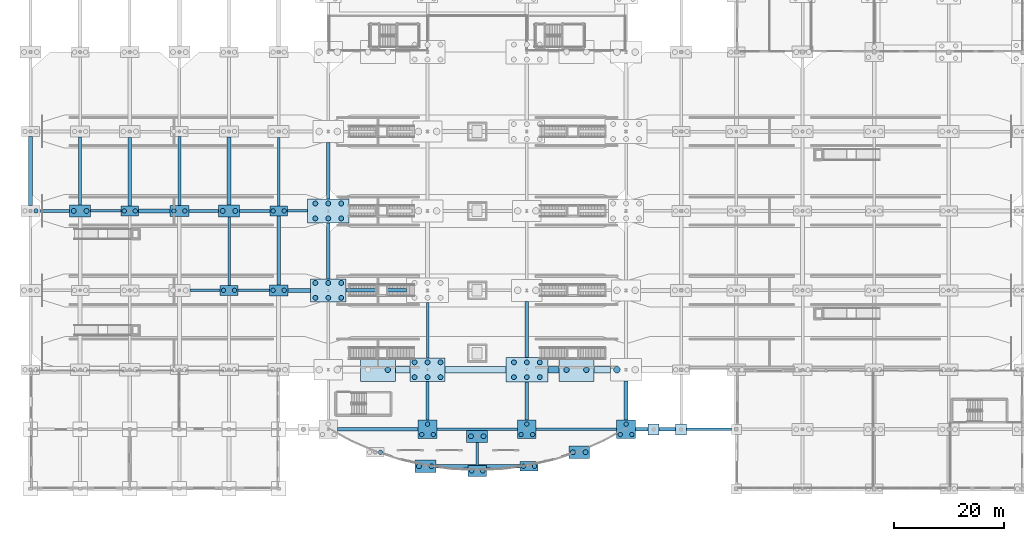
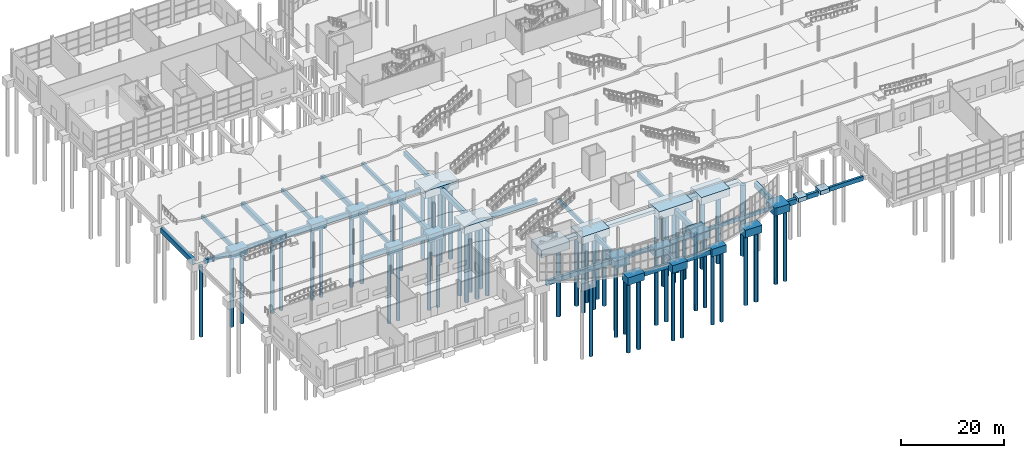
# One storey, part 2 of 115: 63 piles, 60 footings.
"""IFC4 building model written with IfcOpenShell, lengths in metres."""

from ifc_helpers import new_model, si_unit, direction, frame, origin, origin_2d, place, context, subcontext, project, spatial, rectangle, circle, extrude, material, material_profile, profile_set, type_object, element, save


model = new_model("IFC4")

# Units and contexts
model_context = context("Model", 3, precision=1e-05, world=origin(), true_north=direction((0.0, 1.0)))
body_context = subcontext(model_context, "Body", "Model", "MODEL_VIEW")
ifc_project = project(units=[si_unit("LENGTHUNIT", "METRE"), si_unit("AREAUNIT", "SQUARE_METRE"), si_unit("VOLUMEUNIT", "CUBIC_METRE"), si_unit("PLANEANGLEUNIT", "RADIAN"), si_unit("MASSUNIT", "GRAM", prefix="KILO")], contexts=[model_context])

# Site, building, storey
site_placement = place(None, origin())
site = spatial("IfcSite", under=ifc_project, at=site_placement, CompositionType="ELEMENT")
building_placement = place(site_placement, origin())
building = spatial("IfcBuilding", under=site, at=building_placement, Name="Tamarisk Ironworks Central Station", CompositionType="ELEMENT")
storey_placement = place(building_placement, origin())
storey = spatial("IfcBuildingStorey", under=building, at=storey_placement, Name="L00", CompositionType="ELEMENT", Elevation=0.0)

# Footings
ifc_material = material(Name="Concrete C40/50", Category="concrete")
footing_type_1 = type_object("IfcFootingType", Name="CAP-PC06", PredefinedType="PILE_CAP", material=ifc_material)
for number, where, z_axis, x_axis, name in (
    (1, (72.0, 10.800048828125, -1.7998046875), (0.0, 0.0, 1.0), (1.0, 0.0, 0.0), "Pile cap V2-09B"),
    (2, (90.0, 10.800048828125, -1.7998046875), (0.0, 0.0, 1.0), (1.0, 0.0, 0.0), "Pile cap V2-12B"),
    (3, (108.0, 10.800048828125, -1.7998046875), (0.0, 0.0, 1.0), (1.0, 0.0, 0.0), "Pile cap V2-14B"),
):
    element("IfcFooting", number, at=place(storey_placement, frame(where, z_axis=z_axis, x_axis=x_axis)), inside=storey, type_object=footing_type_1, Name=name, PredefinedType="PILE_CAP", context=body_context, shape_type="SweptSolid", body=[
        extrude(rectangle(XDim=3.39990234375, YDim=3.39990234375, at=origin_2d()), origin(), (0.0, 0.0, 1.0), 1.800048828125),
    ])
footing_type_2 = type_object("IfcFootingType", Name="CAP-PC07", PredefinedType="PILE_CAP", material=ifc_material)
for number, where, z_axis, x_axis, name in (
    (4, (81.0, 9.5400390625, -1.7998046875), (0.0, 0.0, 1.0), (1.0, 0.0, 0.0), "Pile cap V2-SAC"),
    (5, (71.589111328125, 4.099609375, -1.7998046875), (0.0, 0.0, 1.0), (1.0, 0.0, 0.0), "Pile cap V2-SN04"),
    (6, (99.51123046875, 6.6474609375, -1.7998046875), (0.0, 0.0, 1.0), (1.0, 0.0, 0.0), "Pile cap V2-SN10"),
    (7, (9.0, 50.39990234375, -1.7998046875), (0.0, 0.0, 1.0), (1.0, 0.0, 0.0), "Pile cap V1-02E"),
    (8, (36.0, 50.39990234375, -1.7998046875), (0.0, 0.0, 1.0), (1.0, 0.0, 0.0), "Pile cap V1-05E"),
):
    element("IfcFooting", number, at=place(storey_placement, frame(where, z_axis=z_axis, x_axis=x_axis)), inside=storey, type_object=footing_type_2, Name=name, PredefinedType="PILE_CAP", context=body_context, shape_type="SweptSolid", body=[
        extrude(rectangle(XDim=3.800048828125, YDim=2.199951171875, at=origin_2d()), origin(), (0.0, 0.0, 1.0), 1.800048828125),
    ])
footing_type_3 = type_object("IfcFootingType", Name="CAP-PC08", PredefinedType="PILE_CAP", material=ifc_material)
for number, where, z_axis, x_axis, name in (
    (9, (81.0, 3.240966796875, -1.7998046875), (0.0, 0.0, 1.0), (1.0, 0.0, 0.0), "Pile cap V2-SN06"),
    (10, (27.0, 50.39990234375, -1.7998046875), (0.0, 0.0, 1.0), (1.0, 0.0, 0.0), "Pile cap V1-04E"),
    (11, (45.0, 36.0, -1.7998046875), (0.0, 0.0, 1.0), (1.0, 0.0, 0.0), "Pile cap V1-06D"),
):
    element("IfcFooting", number, at=place(storey_placement, frame(where, z_axis=z_axis, x_axis=x_axis)), inside=storey, type_object=footing_type_3, Name=name, PredefinedType="PILE_CAP", context=body_context, shape_type="SweptSolid", body=[
        extrude(rectangle(XDim=3.39990234375, YDim=2.0, at=origin_2d()), origin(), (0.0, 0.0, 1.0), 1.800048828125),
    ])
footing_type_4 = type_object("IfcFootingType", Name="CAP-PC09", PredefinedType="PILE_CAP", material=ifc_material)
for number, where, z_axis, x_axis, name in (
    (12, (90.410888671875, 4.099609375, -1.7998046875), (0.0, 0.0, 1.0), (1.0, 0.0, 0.0), "Pile cap V2-SN08"),
    (13, (18.0, 50.39990234375, -1.7998046875), (0.0, 0.0, 1.0), (1.0, 0.0, 0.0), "Pile cap V1-03E"),
    (14, (36.0, 36.0, -1.7998046875), (0.0, 0.0, 1.0), (1.0, 0.0, 0.0), "Pile cap V1-05D"),
    (15, (45.0, 50.39990234375, -1.7998046875), (0.0, 0.0, 1.0), (1.0, 0.0, 0.0), "Pile cap V1-06E"),
):
    element("IfcFooting", number, at=place(storey_placement, frame(where, z_axis=z_axis, x_axis=x_axis)), inside=storey, type_object=footing_type_4, Name=name, PredefinedType="PILE_CAP", context=body_context, shape_type="SweptSolid", body=[
        extrude(rectangle(XDim=3.199951171875, YDim=1.800048828125, at=origin_2d()), origin(), (0.0, 0.0, 1.0), 1.800048828125),
    ])
footing_type_5 = type_object("IfcFootingType", Name="CAP-PC10", PredefinedType="PILE_CAP", material=ifc_material)
for number, where, z_axis, x_axis, name in (
    (16, (54.0, 36.0, -1.7998046875), (0.0, 0.0, 1.0), (1.0, 0.0, 0.0), "Pile cap V2-07D"),
    (17, (72.0, 21.60009765625, -1.7998046875), (0.0, 0.0, 1.0), (1.0, 0.0, 0.0), "Pile cap V2-09C"),
    (18, (63.0, 21.60009765625, -1.7998046875), (0.0, 0.0, 1.0), (1.0, 0.0, 0.0), "Bridge abutment pile cap AB1"),
    (19, (99.0, 21.60009765625, -1.7998046875), (0.0, 0.0, 1.0), (1.0, 0.0, 0.0), "Bridge abutment pile cap AB2"),
):
    element("IfcFooting", number, at=place(storey_placement, frame(where, z_axis=z_axis, x_axis=x_axis)), inside=storey, type_object=footing_type_5, Name=name, PredefinedType="PILE_CAP", context=body_context, shape_type="SweptSolid", body=[
        extrude(rectangle(XDim=6.39990234375, YDim=4.199951171875, at=origin_2d()), origin(), (0.0, 0.0, 1.0), 1.800048828125),
    ])
footing_type_6 = type_object("IfcFootingType", Name="CAP-PC11", PredefinedType="PILE_CAP", material=ifc_material)
for number, where, z_axis, x_axis, name in (
    (20, (54.0, 50.39990234375, -1.7998046875), (0.0, 0.0, 1.0), (1.0, 0.0, 0.0), "Pile cap V2-07E"),
    (21, (90.0, 21.60009765625, -1.7998046875), (0.0, 0.0, 1.0), (1.0, 0.0, 0.0), "Pile cap V2-12C"),
):
    element("IfcFooting", number, at=place(storey_placement, frame(where, z_axis=z_axis, x_axis=x_axis)), inside=storey, type_object=footing_type_6, Name=name, PredefinedType="PILE_CAP", context=body_context, shape_type="SweptSolid", body=[
        extrude(rectangle(XDim=7.60009765625, YDim=4.39990234375, at=origin_2d()), origin(), (0.0, 0.0, 1.0), 1.800048828125),
    ])
ifc_material_profile_1 = material_profile(ifc_material, rectangle(XDim=0.699951171875, YDim=1.199951171875, at=origin_2d()), Name="GB01 700x1200")
ifc_profile_set_1 = profile_set([ifc_material_profile_1], Name="Concrete C40/50")
footing_type_7 = type_object("IfcFootingType", Name="GB-01", PredefinedType="FOOTING_BEAM", material=ifc_profile_set_1)
footing_1_placement = place(storey_placement, frame((109.699951171875, 10.800048828125, -1.050048828125), z_axis=(1.0, 0.0, 0.0), x_axis=(0.0, 1.0, 0.0)))
element("IfcFooting", 22, at=footing_1_placement, inside=storey, type_object=footing_type_7, Name="Ground tie beam GB-X-021", PredefinedType="FOOTING_BEAM", context=body_context, shape_type="SweptSolid", body=[
    extrude(rectangle(XDim=0.699951171875, YDim=1.199951171875, at=origin_2d()), origin(), (0.0, 0.0, 1.0), 2.300048828125),
])
footing_2_placement = place(storey_placement, frame((46.699951171875, 36.0, -1.050048828125), z_axis=(1.0, 0.0, 0.0), x_axis=(0.0, 1.0, 0.0)))
element("IfcFooting", 23, at=footing_2_placement, inside=storey, type_object=footing_type_7, Name="Ground tie beam GB-X-033", PredefinedType="FOOTING_BEAM", context=body_context, shape_type="SweptSolid", body=[
    extrude(rectangle(XDim=0.699951171875, YDim=1.199951171875, at=origin_2d()), origin(), (0.0, 0.0, 1.0), 4.10009765625),
])
footing_3_placement = place(storey_placement, frame((19.60009765625, 50.39990234375, -1.050048828125), z_axis=(1.0, 0.0, 0.0), x_axis=(0.0, 1.0, 0.0)))
element("IfcFooting", 24, at=footing_3_placement, inside=storey, type_object=footing_type_7, Name="Ground tie beam GB-X-045", PredefinedType="FOOTING_BEAM", context=body_context, shape_type="SweptSolid", body=[
    extrude(rectangle(XDim=0.699951171875, YDim=1.199951171875, at=origin_2d()), origin(), (0.0, 0.0, 1.0), 5.699951171875),
])
footing_4_placement = place(storey_placement, frame((0.0, 51.39990234375, -1.050048828125), z_axis=(0.0, 1.0, 0.0), x_axis=(-1.0, 0.0, 0.0)))
element("IfcFooting", 25, at=footing_4_placement, inside=storey, type_object=footing_type_7, Name="Ground tie beam GB-Y-137", PredefinedType="FOOTING_BEAM", context=body_context, shape_type="SweptSolid", body=[
    extrude(rectangle(XDim=0.699951171875, YDim=1.199951171875, at=origin_2d()), origin(), (0.0, 0.0, 1.0), 12.5),
])
footing_5_placement = place(storey_placement, frame((18.0, 51.300048828125, -1.050048828125), z_axis=(0.0, 1.0, 0.0), x_axis=(-1.0, 0.0, 0.0)))
element("IfcFooting", 26, at=footing_5_placement, inside=storey, type_object=footing_type_7, Name="Ground tie beam GB-Y-157", PredefinedType="FOOTING_BEAM", context=body_context, shape_type="SweptSolid", body=[
    extrude(rectangle(XDim=0.699951171875, YDim=1.199951171875, at=origin_2d()), origin(), (0.0, 0.0, 1.0), 12.39990234375),
])
footing_6_placement = place(storey_placement, frame((36.0, 51.5, -1.050048828125), z_axis=(0.0, 1.0, 0.0), x_axis=(-1.0, 0.0, 0.0)))
element("IfcFooting", 27, at=footing_6_placement, inside=storey, type_object=footing_type_7, Name="Ground tie beam GB-Y-177", PredefinedType="FOOTING_BEAM", context=body_context, shape_type="SweptSolid", body=[
    extrude(rectangle(XDim=0.699951171875, YDim=1.199951171875, at=origin_2d()), origin(), (0.0, 0.0, 1.0), 12.300048828125),
])
footing_7_placement = place(storey_placement, frame((54.0, 38.10009765625, -1.050048828125), z_axis=(0.0, 1.0, 0.0), x_axis=(-1.0, 0.0, 0.0)))
element("IfcFooting", 28, at=footing_7_placement, inside=storey, type_object=footing_type_7, Name="Ground tie beam GB-Y-197", PredefinedType="FOOTING_BEAM", context=body_context, shape_type="SweptSolid", body=[
    extrude(rectangle(XDim=0.699951171875, YDim=1.199951171875, at=origin_2d()), origin(), (0.0, 0.0, 1.0), 10.099853515625),
])
footing_8_placement = place(storey_placement, frame((90.0, 12.5, -1.050048828125), z_axis=(0.0, 1.0, 0.0), x_axis=(-1.0, 0.0, 0.0)))
element("IfcFooting", 29, at=footing_8_placement, inside=storey, type_object=footing_type_7, Name="Ground tie beam GB-Y-213", PredefinedType="FOOTING_BEAM", context=body_context, shape_type="SweptSolid", body=[
    extrude(rectangle(XDim=0.699951171875, YDim=1.199951171875, at=origin_2d()), origin(), (0.0, 0.0, 1.0), 6.89990234375),
])
footing_9_placement = place(storey_placement, frame((108.0, 12.5, -1.050048828125), z_axis=(0.0, 1.0, 0.0), x_axis=(-1.0, 0.0, 0.0)))
element("IfcFooting", 30, at=footing_9_placement, inside=storey, type_object=footing_type_7, Name="Ground tie beam GB-Y-221", PredefinedType="FOOTING_BEAM", context=body_context, shape_type="SweptSolid", body=[
    extrude(rectangle(XDim=0.699951171875, YDim=1.199951171875, at=origin_2d()), origin(), (0.0, 0.0, 1.0), 7.10009765625),
])
ifc_material_profile_2 = material_profile(ifc_material, rectangle(XDim=0.60009765625, YDim=1.10009765625, at=origin_2d()), Name="GB02 600x1100")
ifc_profile_set_2 = profile_set([ifc_material_profile_2], Name="Concrete C40/50")
footing_type_8 = type_object("IfcFootingType", Name="GB-02", PredefinedType="FOOTING_BEAM", material=ifc_profile_set_2)
footing_10_placement = place(storey_placement, frame((73.489013671875, 4.099609375, -1.0), z_axis=(1.0, 0.0, 0.0), x_axis=(0.0, 1.0, 0.0)))
element("IfcFooting", 31, at=footing_10_placement, inside=storey, type_object=footing_type_8, Name="Ground tie beam GB-X-010", PredefinedType="FOOTING_BEAM", context=body_context, shape_type="SweptSolid", body=[
    extrude(rectangle(XDim=0.60009765625, YDim=1.10009765625, at=origin_2d()), origin(), (0.0, 0.0, 1.0), 15.322021484375),
])
footing_11_placement = place(storey_placement, frame((55.699951171875, 10.800048828125, -1.0), z_axis=(1.0, 0.0, 0.0), x_axis=(0.0, 1.0, 0.0)))
element("IfcFooting", 32, at=footing_11_placement, inside=storey, type_object=footing_type_8, Name="Ground tie beam GB-X-018", PredefinedType="FOOTING_BEAM", context=body_context, shape_type="SweptSolid", body=[
    extrude(rectangle(XDim=0.60009765625, YDim=1.10009765625, at=origin_2d()), origin(), (0.0, 0.0, 1.0), 14.60009765625),
])
footing_12_placement = place(storey_placement, frame((114.0, 10.800048828125, -1.0), z_axis=(1.0, 0.0, 0.0), x_axis=(0.0, 1.0, 0.0)))
element("IfcFooting", 33, at=footing_12_placement, inside=storey, type_object=footing_type_8, Name="Ground tie beam GB-X-022", PredefinedType="FOOTING_BEAM", context=body_context, shape_type="SweptSolid", body=[
    extrude(rectangle(XDim=0.60009765625, YDim=1.10009765625, at=origin_2d()), origin(), (0.0, 0.0, 1.0), 3.0),
])
footing_13_placement = place(storey_placement, frame((57.199951171875, 36.0, -1.0), z_axis=(1.0, 0.0, 0.0), x_axis=(0.0, 1.0, 0.0)))
element("IfcFooting", 34, at=footing_13_placement, inside=storey, type_object=footing_type_8, Name="Ground tie beam GB-X-034", PredefinedType="FOOTING_BEAM", context=body_context, shape_type="SweptSolid", body=[
    extrude(rectangle(XDim=0.60009765625, YDim=1.10009765625, at=origin_2d()), origin(), (0.0, 0.0, 1.0), 11.0),
])
footing_14_placement = place(storey_placement, frame((28.699951171875, 50.39990234375, -1.0), z_axis=(1.0, 0.0, 0.0), x_axis=(0.0, 1.0, 0.0)))
element("IfcFooting", 35, at=footing_14_placement, inside=storey, type_object=footing_type_8, Name="Ground tie beam GB-X-046", PredefinedType="FOOTING_BEAM", context=body_context, shape_type="SweptSolid", body=[
    extrude(rectangle(XDim=0.60009765625, YDim=1.10009765625, at=origin_2d()), origin(), (0.0, 0.0, 1.0), 5.400146484375),
])
footing_15_placement = place(storey_placement, frame((45.0, 37.0, -1.0), z_axis=(0.0, 1.0, 0.0), x_axis=(-1.0, 0.0, 0.0)))
element("IfcFooting", 36, at=footing_15_placement, inside=storey, type_object=footing_type_8, Name="Ground tie beam GB-Y-186", PredefinedType="FOOTING_BEAM", context=body_context, shape_type="SweptSolid", body=[
    extrude(rectangle(XDim=0.60009765625, YDim=1.10009765625, at=origin_2d()), origin(), (0.0, 0.0, 1.0), 12.5),
])
for number, where, z_axis, x_axis, name in (
    (37, (54.0, 52.60009765625, -1.0), (0.0, 1.0, 0.0), (-1.0, 0.0, 0.0), "Ground tie beam GB-Y-198"),
    (38, (90.0, 23.800048828125, -1.0), (0.0, 1.0, 0.0), (-1.0, 0.0, 0.0), "Ground tie beam GB-Y-214"),
):
    element("IfcFooting", number, at=place(storey_placement, frame(where, z_axis=z_axis, x_axis=x_axis)), inside=storey, type_object=footing_type_8, Name=name, PredefinedType="FOOTING_BEAM", context=body_context, shape_type="SweptSolid", body=[
        extrude(rectangle(XDim=0.60009765625, YDim=1.10009765625, at=origin_2d()), origin(), (0.0, 0.0, 1.0), 10.199951171875),
    ])
ifc_material_profile_3 = material_profile(ifc_material, rectangle(XDim=0.5, YDim=1.0, at=origin_2d()), Name="GB03 500x1000")
ifc_profile_set_3 = profile_set([ifc_material_profile_3], Name="Concrete C40/50")
footing_type_9 = type_object("IfcFootingType", Name="GB-03", PredefinedType="FOOTING_BEAM", material=ifc_profile_set_3)
footing_16_placement = place(storey_placement, frame((73.699951171875, 10.800048828125, -0.949951171875), z_axis=(1.0, 0.0, 0.0), x_axis=(0.0, 1.0, 0.0)))
element("IfcFooting", 39, at=footing_16_placement, inside=storey, type_object=footing_type_9, Name="Ground tie beam GB-X-019", PredefinedType="FOOTING_BEAM", context=body_context, shape_type="SweptSolid", body=[
    extrude(rectangle(XDim=0.5, YDim=1.0, at=origin_2d()), origin(), (0.0, 0.0, 1.0), 14.60009765625),
])
footing_17_placement = place(storey_placement, frame((119.0, 10.800048828125, -0.949951171875), z_axis=(1.0, 0.0, 0.0), x_axis=(0.0, 1.0, 0.0)))
element("IfcFooting", 40, at=footing_17_placement, inside=storey, type_object=footing_type_9, Name="Ground tie beam GB-X-023", PredefinedType="FOOTING_BEAM", context=body_context, shape_type="SweptSolid", body=[
    extrude(rectangle(XDim=0.5, YDim=1.0, at=origin_2d()), origin(), (0.0, 0.0, 1.0), 8.10009765625),
])
footing_18_placement = place(storey_placement, frame((28.89990234375, 36.0, -0.949951171875), z_axis=(1.0, 0.0, 0.0), x_axis=(0.0, 1.0, 0.0)))
element("IfcFooting", 41, at=footing_18_placement, inside=storey, type_object=footing_type_9, Name="Ground tie beam GB-X-031", PredefinedType="FOOTING_BEAM", context=body_context, shape_type="SweptSolid", body=[
    extrude(rectangle(XDim=0.5, YDim=1.0, at=origin_2d()), origin(), (0.0, 0.0, 1.0), 5.5),
])
footing_19_placement = place(storey_placement, frame((1.699951171875, 50.39990234375, -0.949951171875), z_axis=(1.0, 0.0, 0.0), x_axis=(0.0, 1.0, 0.0)))
element("IfcFooting", 42, at=footing_19_placement, inside=storey, type_object=footing_type_9, Name="Ground tie beam GB-X-043", PredefinedType="FOOTING_BEAM", context=body_context, shape_type="SweptSolid", body=[
    extrude(rectangle(XDim=0.5, YDim=1.0, at=origin_2d()), origin(), (0.0, 0.0, 1.0), 5.400146484375),
])
footing_20_placement = place(storey_placement, frame((37.89990234375, 50.39990234375, -0.949951171875), z_axis=(1.0, 0.0, 0.0), x_axis=(0.0, 1.0, 0.0)))
element("IfcFooting", 43, at=footing_20_placement, inside=storey, type_object=footing_type_9, Name="Ground tie beam GB-X-047", PredefinedType="FOOTING_BEAM", context=body_context, shape_type="SweptSolid", body=[
    extrude(rectangle(XDim=0.5, YDim=1.0, at=origin_2d()), origin(), (0.0, 0.0, 1.0), 5.5),
])
footing_21_placement = place(storey_placement, frame((9.0, 51.5, -0.949951171875), z_axis=(0.0, 1.0, 0.0), x_axis=(-1.0, 0.0, 0.0)))
element("IfcFooting", 44, at=footing_21_placement, inside=storey, type_object=footing_type_9, Name="Ground tie beam GB-Y-147", PredefinedType="FOOTING_BEAM", context=body_context, shape_type="SweptSolid", body=[
    extrude(rectangle(XDim=0.5, YDim=1.0, at=origin_2d()), origin(), (0.0, 0.0, 1.0), 12.300048828125),
])
footing_22_placement = place(storey_placement, frame((27.0, 51.39990234375, -0.949951171875), z_axis=(0.0, 1.0, 0.0), x_axis=(-1.0, 0.0, 0.0)))
element("IfcFooting", 45, at=footing_22_placement, inside=storey, type_object=footing_type_9, Name="Ground tie beam GB-Y-167", PredefinedType="FOOTING_BEAM", context=body_context, shape_type="SweptSolid", body=[
    extrude(rectangle(XDim=0.5, YDim=1.0, at=origin_2d()), origin(), (0.0, 0.0, 1.0), 12.5),
])
footing_23_placement = place(storey_placement, frame((45.0, 51.300048828125, -0.949951171875), z_axis=(0.0, 1.0, 0.0), x_axis=(-1.0, 0.0, 0.0)))
element("IfcFooting", 46, at=footing_23_placement, inside=storey, type_object=footing_type_9, Name="Ground tie beam GB-Y-187", PredefinedType="FOOTING_BEAM", context=body_context, shape_type="SweptSolid", body=[
    extrude(rectangle(XDim=0.5, YDim=1.0, at=origin_2d()), origin(), (0.0, 0.0, 1.0), 12.39990234375),
])
footing_24_placement = place(storey_placement, frame((72.0, 12.5, -0.949951171875), z_axis=(0.0, 1.0, 0.0), x_axis=(-1.0, 0.0, 0.0)))
element("IfcFooting", 47, at=footing_24_placement, inside=storey, type_object=footing_type_9, Name="Ground tie beam GB-Y-203", PredefinedType="FOOTING_BEAM", context=body_context, shape_type="SweptSolid", body=[
    extrude(rectangle(XDim=0.5, YDim=1.0, at=origin_2d()), origin(), (0.0, 0.0, 1.0), 7.0),
])
footing_25_placement = place(storey_placement, frame((81.0, 4.240966796875, -0.949951171875), z_axis=(0.0, 1.0, 0.0), x_axis=(-1.0, 0.0, 0.0)))
element("IfcFooting", 48, at=footing_25_placement, inside=storey, type_object=footing_type_9, Name="Ground tie beam GB-Y-211", PredefinedType="FOOTING_BEAM", context=body_context, shape_type="SweptSolid", body=[
    extrude(rectangle(XDim=0.5, YDim=1.0, at=origin_2d()), origin(), (0.0, 0.0, 1.0), 4.198974609375),
])
ifc_material_profile_4 = material_profile(ifc_material, rectangle(XDim=0.449951171875, YDim=0.89990234375, at=origin_2d()), Name="GB04 450x900")
ifc_profile_set_4 = profile_set([ifc_material_profile_4], Name="Concrete C40/50")
footing_type_10 = type_object("IfcFootingType", Name="GB-04", PredefinedType="FOOTING_BEAM", material=ifc_profile_set_4)
footing_26_placement = place(storey_placement, frame((91.699951171875, 10.800048828125, -0.89990234375), z_axis=(1.0, 0.0, 0.0), x_axis=(0.0, 1.0, 0.0)))
element("IfcFooting", 49, at=footing_26_placement, inside=storey, type_object=footing_type_10, Name="Ground tie beam GB-X-020", PredefinedType="FOOTING_BEAM", context=body_context, shape_type="SweptSolid", body=[
    extrude(rectangle(XDim=0.449951171875, YDim=0.89990234375, at=origin_2d()), origin(), (0.0, 0.0, 1.0), 14.60009765625),
])
footing_27_placement = place(storey_placement, frame((37.60009765625, 36.0, -0.89990234375), z_axis=(1.0, 0.0, 0.0), x_axis=(0.0, 1.0, 0.0)))
element("IfcFooting", 50, at=footing_27_placement, inside=storey, type_object=footing_type_10, Name="Ground tie beam GB-X-032", PredefinedType="FOOTING_BEAM", context=body_context, shape_type="SweptSolid", body=[
    extrude(rectangle(XDim=0.449951171875, YDim=0.89990234375, at=origin_2d()), origin(), (0.0, 0.0, 1.0), 5.699951171875),
])
footing_28_placement = place(storey_placement, frame((10.89990234375, 50.39990234375, -0.89990234375), z_axis=(1.0, 0.0, 0.0), x_axis=(0.0, 1.0, 0.0)))
element("IfcFooting", 51, at=footing_28_placement, inside=storey, type_object=footing_type_10, Name="Ground tie beam GB-X-044", PredefinedType="FOOTING_BEAM", context=body_context, shape_type="SweptSolid", body=[
    extrude(rectangle(XDim=0.449951171875, YDim=0.89990234375, at=origin_2d()), origin(), (0.0, 0.0, 1.0), 5.5),
])
footing_29_placement = place(storey_placement, frame((46.60009765625, 50.39990234375, -0.89990234375), z_axis=(1.0, 0.0, 0.0), x_axis=(0.0, 1.0, 0.0)))
element("IfcFooting", 52, at=footing_29_placement, inside=storey, type_object=footing_type_10, Name="Ground tie beam GB-X-048", PredefinedType="FOOTING_BEAM", context=body_context, shape_type="SweptSolid", body=[
    extrude(rectangle(XDim=0.449951171875, YDim=0.89990234375, at=origin_2d()), origin(), (0.0, 0.0, 1.0), 3.599853515625),
])
footing_30_placement = place(storey_placement, frame((36.0, 36.89990234375, -0.89990234375), z_axis=(0.0, 1.0, 0.0), x_axis=(-1.0, 0.0, 0.0)))
element("IfcFooting", 53, at=footing_30_placement, inside=storey, type_object=footing_type_10, Name="Ground tie beam GB-Y-176", PredefinedType="FOOTING_BEAM", context=body_context, shape_type="SweptSolid", body=[
    extrude(rectangle(XDim=0.449951171875, YDim=0.89990234375, at=origin_2d()), origin(), (0.0, 0.0, 1.0), 12.400146484375),
])
footing_31_placement = place(storey_placement, frame((72.0, 23.699951171875, -0.89990234375), z_axis=(0.0, 1.0, 0.0), x_axis=(-1.0, 0.0, 0.0)))
element("IfcFooting", 54, at=footing_31_placement, inside=storey, type_object=footing_type_10, Name="Ground tie beam GB-Y-204", PredefinedType="FOOTING_BEAM", context=body_context, shape_type="SweptSolid", body=[
    extrude(rectangle(XDim=0.449951171875, YDim=0.89990234375, at=origin_2d()), origin(), (0.0, 0.0, 1.0), 10.10009765625),
])
footing_type_11 = type_object("IfcFootingType", Name="PAD-PF03", PredefinedType="PAD_FOOTING", material=ifc_material)
for number, where, z_axis, x_axis, name in (
    (55, (113.0, 10.800048828125, -1.0), (0.0, 0.0, 1.0), (1.0, 0.0, 0.0), "Pad footing CN-S2"),
    (56, (118.0, 10.800048828125, -1.0), (0.0, 0.0, 1.0), (1.0, 0.0, 0.0), "Pad footing CN-S3"),
):
    element("IfcFooting", number, at=place(storey_placement, frame(where, z_axis=z_axis, x_axis=x_axis)), inside=storey, type_object=footing_type_11, Name=name, PredefinedType="PAD_FOOTING", context=body_context, shape_type="SweptSolid", body=[
        extrude(rectangle(XDim=2.0, YDim=2.0, at=origin_2d()), origin(), (0.0, 0.0, 1.0), 1.0),
    ])

# Piles
ifc_material_profile_5 = material_profile(ifc_material, circle(Radius=0.5, at=origin_2d()), Name="BORED PILE D1000")
ifc_profile_set_5 = profile_set([ifc_material_profile_5], Name="Concrete C40/50")
pile_type_1 = type_object("IfcPileType", Name="PILE-D1000", PredefinedType="BORED", material=ifc_profile_set_5)
for number, where, z_axis, x_axis, name in (
    (57, (64.800048828125, 21.60009765625, -1.64990234375), (0.0, 0.0, -1.0), (1.0, 0.0, 0.0), "Bored pile AB1-2"),
    (58, (97.199951171875, 21.60009765625, -1.64990234375), (0.0, 0.0, -1.0), (1.0, 0.0, 0.0), "Bored pile AB2-1"),
    (59, (100.800048828125, 21.60009765625, -1.64990234375), (0.0, 0.0, -1.0), (1.0, 0.0, 0.0), "Bored pile AB2-2"),
):
    element("IfcPile", number, at=place(storey_placement, frame(where, z_axis=z_axis, x_axis=x_axis)), inside=storey, type_object=pile_type_1, Name=name, PredefinedType="BORED", context=body_context, shape_type="SweptSolid", body=[
        extrude(circle(Radius=0.5, at=origin_2d()), origin(), (0.0, 0.0, 1.0), 16.85009765625),
    ])
ifc_material_profile_6 = material_profile(ifc_material, circle(Radius=0.60009765625, at=origin_2d()), Name="BORED PILE D1200")
ifc_profile_set_6 = profile_set([ifc_material_profile_6], Name="Concrete C40/50")
pile_type_2 = type_object("IfcPileType", Name="PILE-D1200", PredefinedType="BORED", material=ifc_profile_set_6)
pile_placement = place(storey_placement, frame((106.35009765625, 21.60009765625, -1.64990234375), z_axis=(0.0, 0.0, -1.0), x_axis=(1.0, 0.0, 0.0)))
element("IfcPile", 60, at=pile_placement, inside=storey, type_object=pile_type_2, Name="Bored pile V2-14C-1", PredefinedType="BORED", context=body_context, shape_type="SweptSolid", body=[
    extrude(circle(Radius=0.60009765625, at=origin_2d()), origin(), (0.0, 0.0, 1.0), 16.85009765625),
])
ifc_material_profile_7 = material_profile(ifc_material, circle(Radius=0.39990234375, at=origin_2d()), Name="BORED PILE D800")
ifc_profile_set_7 = profile_set([ifc_material_profile_7], Name="Concrete C40/50")
pile_type_3 = type_object("IfcPileType", Name="PILE-D800", PredefinedType="BORED", material=ifc_profile_set_7)
for number, where, z_axis, x_axis, name in (
    (61, (70.949951171875, 9.85009765625, -1.64990234375), (0.0, 0.0, -1.0), (1.0, 0.0, 0.0), "Bored pile V2-09B-1"),
    (62, (73.050048828125, 9.85009765625, -1.64990234375), (0.0, 0.0, -1.0), (1.0, 0.0, 0.0), "Bored pile V2-09B-2"),
    (63, (72.0, 11.75, -1.64990234375), (0.0, 0.0, -1.0), (1.0, 0.0, 0.0), "Bored pile V2-09B-3"),
    (64, (88.949951171875, 9.85009765625, -1.64990234375), (0.0, 0.0, -1.0), (1.0, 0.0, 0.0), "Bored pile V2-12B-1"),
    (65, (91.050048828125, 9.85009765625, -1.64990234375), (0.0, 0.0, -1.0), (1.0, 0.0, 0.0), "Bored pile V2-12B-2"),
    (66, (90.0, 11.75, -1.64990234375), (0.0, 0.0, -1.0), (1.0, 0.0, 0.0), "Bored pile V2-12B-3"),
    (67, (106.949951171875, 9.85009765625, -1.64990234375), (0.0, 0.0, -1.0), (1.0, 0.0, 0.0), "Bored pile V2-14B-1"),
    (68, (109.050048828125, 9.85009765625, -1.64990234375), (0.0, 0.0, -1.0), (1.0, 0.0, 0.0), "Bored pile V2-14B-2"),
    (69, (108.0, 11.75, -1.64990234375), (0.0, 0.0, -1.0), (1.0, 0.0, 0.0), "Bored pile V2-14B-3"),
    (70, (63.48876953125, 6.6474609375, -1.64990234375), (0.0, 0.0, -1.0), (1.0, 0.0, 0.0), "Bored pile V2-SN02-2"),
    (71, (80.0, 3.240966796875, -1.64990234375), (0.0, 0.0, -1.0), (1.0, 0.0, 0.0), "Bored pile V2-SN06-1"),
    (72, (82.0, 3.240966796875, -1.64990234375), (0.0, 0.0, -1.0), (1.0, 0.0, 0.0), "Bored pile V2-SN06-2"),
    (73, (89.410888671875, 4.099609375, -1.64990234375), (0.0, 0.0, -1.0), (1.0, 0.0, 0.0), "Bored pile V2-SN08-1"),
    (74, (91.410888671875, 4.099609375, -1.64990234375), (0.0, 0.0, -1.0), (1.0, 0.0, 0.0), "Bored pile V2-SN08-2"),
    (75, (1.0, 50.39990234375, -1.64990234375), (0.0, 0.0, -1.0), (1.0, 0.0, 0.0), "Bored pile V1-01E-2"),
    (76, (17.0, 50.39990234375, -1.64990234375), (0.0, 0.0, -1.0), (1.0, 0.0, 0.0), "Bored pile V1-03E-1"),
    (77, (19.0, 50.39990234375, -1.64990234375), (0.0, 0.0, -1.0), (1.0, 0.0, 0.0), "Bored pile V1-03E-2"),
    (78, (26.0, 50.39990234375, -1.64990234375), (0.0, 0.0, -1.0), (1.0, 0.0, 0.0), "Bored pile V1-04E-1"),
    (79, (28.0, 50.39990234375, -1.64990234375), (0.0, 0.0, -1.0), (1.0, 0.0, 0.0), "Bored pile V1-04E-2"),
    (80, (35.0, 36.0, -1.64990234375), (0.0, 0.0, -1.0), (1.0, 0.0, 0.0), "Bored pile V1-05D-1"),
    (81, (37.0, 36.0, -1.64990234375), (0.0, 0.0, -1.0), (1.0, 0.0, 0.0), "Bored pile V1-05D-2"),
    (82, (44.0, 36.0, -1.64990234375), (0.0, 0.0, -1.0), (1.0, 0.0, 0.0), "Bored pile V1-06D-1"),
    (83, (46.0, 36.0, -1.64990234375), (0.0, 0.0, -1.0), (1.0, 0.0, 0.0), "Bored pile V1-06D-2"),
    (84, (44.0, 50.39990234375, -1.64990234375), (0.0, 0.0, -1.0), (1.0, 0.0, 0.0), "Bored pile V1-06E-1"),
    (85, (46.0, 50.39990234375, -1.64990234375), (0.0, 0.0, -1.0), (1.0, 0.0, 0.0), "Bored pile V1-06E-2"),
):
    element("IfcPile", number, at=place(storey_placement, frame(where, z_axis=z_axis, x_axis=x_axis)), inside=storey, type_object=pile_type_3, Name=name, PredefinedType="BORED", context=body_context, shape_type="SweptSolid", body=[
        extrude(circle(Radius=0.39990234375, at=origin_2d()), origin(), (0.0, 0.0, 1.0), 16.85009765625),
    ])
ifc_material_profile_8 = material_profile(ifc_material, circle(Radius=0.449951171875, at=origin_2d()), Name="BORED PILE D900")
ifc_profile_set_8 = profile_set([ifc_material_profile_8], Name="Concrete C40/50")
pile_type_4 = type_object("IfcPileType", Name="PILE-D900", PredefinedType="BORED", material=ifc_profile_set_8)
for number, where, z_axis, x_axis, name in (
    (86, (51.64990234375, 34.64990234375, -1.64990234375), (0.0, 0.0, -1.0), (1.0, 0.0, 0.0), "Bored pile V2-07D-1"),
    (87, (54.0, 34.64990234375, -1.64990234375), (0.0, 0.0, -1.0), (1.0, 0.0, 0.0), "Bored pile V2-07D-2"),
    (88, (56.35009765625, 34.64990234375, -1.64990234375), (0.0, 0.0, -1.0), (1.0, 0.0, 0.0), "Bored pile V2-07D-3"),
    (89, (51.64990234375, 37.35009765625, -1.64990234375), (0.0, 0.0, -1.0), (1.0, 0.0, 0.0), "Bored pile V2-07D-4"),
    (90, (54.0, 37.35009765625, -1.64990234375), (0.0, 0.0, -1.0), (1.0, 0.0, 0.0), "Bored pile V2-07D-5"),
    (91, (56.35009765625, 37.35009765625, -1.64990234375), (0.0, 0.0, -1.0), (1.0, 0.0, 0.0), "Bored pile V2-07D-6"),
    (92, (51.64990234375, 49.050048828125, -1.64990234375), (0.0, 0.0, -1.0), (1.0, 0.0, 0.0), "Bored pile V2-07E-1"),
    (93, (54.0, 49.050048828125, -1.64990234375), (0.0, 0.0, -1.0), (1.0, 0.0, 0.0), "Bored pile V2-07E-2"),
    (94, (56.35009765625, 49.050048828125, -1.64990234375), (0.0, 0.0, -1.0), (1.0, 0.0, 0.0), "Bored pile V2-07E-3"),
    (95, (51.64990234375, 51.75, -1.64990234375), (0.0, 0.0, -1.0), (1.0, 0.0, 0.0), "Bored pile V2-07E-4"),
    (96, (54.0, 51.75, -1.64990234375), (0.0, 0.0, -1.0), (1.0, 0.0, 0.0), "Bored pile V2-07E-5"),
    (97, (56.35009765625, 51.75, -1.64990234375), (0.0, 0.0, -1.0), (1.0, 0.0, 0.0), "Bored pile V2-07E-6"),
    (98, (69.64990234375, 20.25, -1.64990234375), (0.0, 0.0, -1.0), (1.0, 0.0, 0.0), "Bored pile V2-09C-1"),
    (99, (72.0, 20.25, -1.64990234375), (0.0, 0.0, -1.0), (1.0, 0.0, 0.0), "Bored pile V2-09C-2"),
    (100, (74.35009765625, 20.25, -1.64990234375), (0.0, 0.0, -1.0), (1.0, 0.0, 0.0), "Bored pile V2-09C-3"),
    (101, (69.64990234375, 22.949951171875, -1.64990234375), (0.0, 0.0, -1.0), (1.0, 0.0, 0.0), "Bored pile V2-09C-4"),
    (102, (72.0, 22.949951171875, -1.64990234375), (0.0, 0.0, -1.0), (1.0, 0.0, 0.0), "Bored pile V2-09C-5"),
    (103, (74.35009765625, 22.949951171875, -1.64990234375), (0.0, 0.0, -1.0), (1.0, 0.0, 0.0), "Bored pile V2-09C-6"),
    (104, (87.64990234375, 20.25, -1.64990234375), (0.0, 0.0, -1.0), (1.0, 0.0, 0.0), "Bored pile V2-12C-1"),
    (105, (90.0, 20.25, -1.64990234375), (0.0, 0.0, -1.0), (1.0, 0.0, 0.0), "Bored pile V2-12C-2"),
    (106, (92.35009765625, 20.25, -1.64990234375), (0.0, 0.0, -1.0), (1.0, 0.0, 0.0), "Bored pile V2-12C-3"),
    (107, (87.64990234375, 22.949951171875, -1.64990234375), (0.0, 0.0, -1.0), (1.0, 0.0, 0.0), "Bored pile V2-12C-4"),
    (108, (90.0, 22.949951171875, -1.64990234375), (0.0, 0.0, -1.0), (1.0, 0.0, 0.0), "Bored pile V2-12C-5"),
    (109, (92.35009765625, 22.949951171875, -1.64990234375), (0.0, 0.0, -1.0), (1.0, 0.0, 0.0), "Bored pile V2-12C-6"),
    (110, (79.85009765625, 9.5400390625, -1.64990234375), (0.0, 0.0, -1.0), (1.0, 0.0, 0.0), "Bored pile V2-SAC-1"),
    (111, (82.14990234375, 9.5400390625, -1.64990234375), (0.0, 0.0, -1.0), (1.0, 0.0, 0.0), "Bored pile V2-SAC-2"),
    (112, (70.43896484375, 4.099609375, -1.64990234375), (0.0, 0.0, -1.0), (1.0, 0.0, 0.0), "Bored pile V2-SN04-1"),
    (113, (72.739013671875, 4.099609375, -1.64990234375), (0.0, 0.0, -1.0), (1.0, 0.0, 0.0), "Bored pile V2-SN04-2"),
    (114, (98.361083984375, 6.6474609375, -1.64990234375), (0.0, 0.0, -1.0), (1.0, 0.0, 0.0), "Bored pile V2-SN10-1"),
    (115, (100.6611328125, 6.6474609375, -1.64990234375), (0.0, 0.0, -1.0), (1.0, 0.0, 0.0), "Bored pile V2-SN10-2"),
    (116, (7.85009765625, 50.39990234375, -1.64990234375), (0.0, 0.0, -1.0), (1.0, 0.0, 0.0), "Bored pile V1-02E-1"),
    (117, (10.14990234375, 50.39990234375, -1.64990234375), (0.0, 0.0, -1.0), (1.0, 0.0, 0.0), "Bored pile V1-02E-2"),
    (118, (34.85009765625, 50.39990234375, -1.64990234375), (0.0, 0.0, -1.0), (1.0, 0.0, 0.0), "Bored pile V1-05E-1"),
    (119, (37.14990234375, 50.39990234375, -1.64990234375), (0.0, 0.0, -1.0), (1.0, 0.0, 0.0), "Bored pile V1-05E-2"),
):
    element("IfcPile", number, at=place(storey_placement, frame(where, z_axis=z_axis, x_axis=x_axis)), inside=storey, type_object=pile_type_4, Name=name, PredefinedType="BORED", context=body_context, shape_type="SweptSolid", body=[
        extrude(circle(Radius=0.449951171875, at=origin_2d()), origin(), (0.0, 0.0, 1.0), 16.85009765625),
    ])

# Footings
ifc_material_profile_9 = material_profile(ifc_material, rectangle(XDim=1.199951171875, YDim=0.800048828125, at=origin_2d()), Name="SF01 1200x800")
ifc_profile_set_9 = profile_set([ifc_material_profile_9], Name="Concrete C40/50")
footing_type_12 = type_object("IfcFootingType", Name="SF-01", PredefinedType="STRIP_FOOTING", material=ifc_profile_set_9)
footing_32_placement = place(storey_placement, frame((66.199951171875, 21.60009765625, -0.85009765625), z_axis=(1.0, 0.0, 0.0), x_axis=(0.0, 1.0, 0.0)))
element("IfcFooting", 120, at=footing_32_placement, inside=storey, type_object=footing_type_12, Name="Strip footing SF-08", PredefinedType="STRIP_FOOTING", context=body_context, shape_type="SweptSolid", body=[
    extrude(rectangle(XDim=1.199951171875, YDim=0.800048828125, at=origin_2d()), origin(), (0.0, 0.0, 1.0), 2.60009765625),
])
footing_33_placement = place(storey_placement, frame((75.199951171875, 21.60009765625, -0.85009765625), z_axis=(1.0, 0.0, 0.0), x_axis=(0.0, 1.0, 0.0)))
element("IfcFooting", 121, at=footing_33_placement, inside=storey, type_object=footing_type_12, Name="Strip footing SF-09", PredefinedType="STRIP_FOOTING", context=body_context, shape_type="SweptSolid", body=[
    extrude(rectangle(XDim=1.199951171875, YDim=0.800048828125, at=origin_2d()), origin(), (0.0, 0.0, 1.0), 11.0),
])
footing_34_placement = place(storey_placement, frame((93.800048828125, 21.60009765625, -0.85009765625), z_axis=(1.0, 0.0, 0.0), x_axis=(0.0, 1.0, 0.0)))
element("IfcFooting", 122, at=footing_34_placement, inside=storey, type_object=footing_type_12, Name="Strip footing SF-10", PredefinedType="STRIP_FOOTING", context=body_context, shape_type="SweptSolid", body=[
    extrude(rectangle(XDim=1.199951171875, YDim=0.800048828125, at=origin_2d()), origin(), (0.0, 0.0, 1.0), 2.0),
])
footing_35_placement = place(storey_placement, frame((102.199951171875, 21.60009765625, -0.85009765625), z_axis=(1.0, 0.0, 0.0), x_axis=(0.0, 1.0, 0.0)))
element("IfcFooting", 123, at=footing_35_placement, inside=storey, type_object=footing_type_12, Name="Strip footing SF-11", PredefinedType="STRIP_FOOTING", context=body_context, shape_type="SweptSolid", body=[
    extrude(rectangle(XDim=1.199951171875, YDim=0.800048828125, at=origin_2d()), origin(), (0.0, 0.0, 1.0), 3.0),
])

save(model, "model.ifc")
